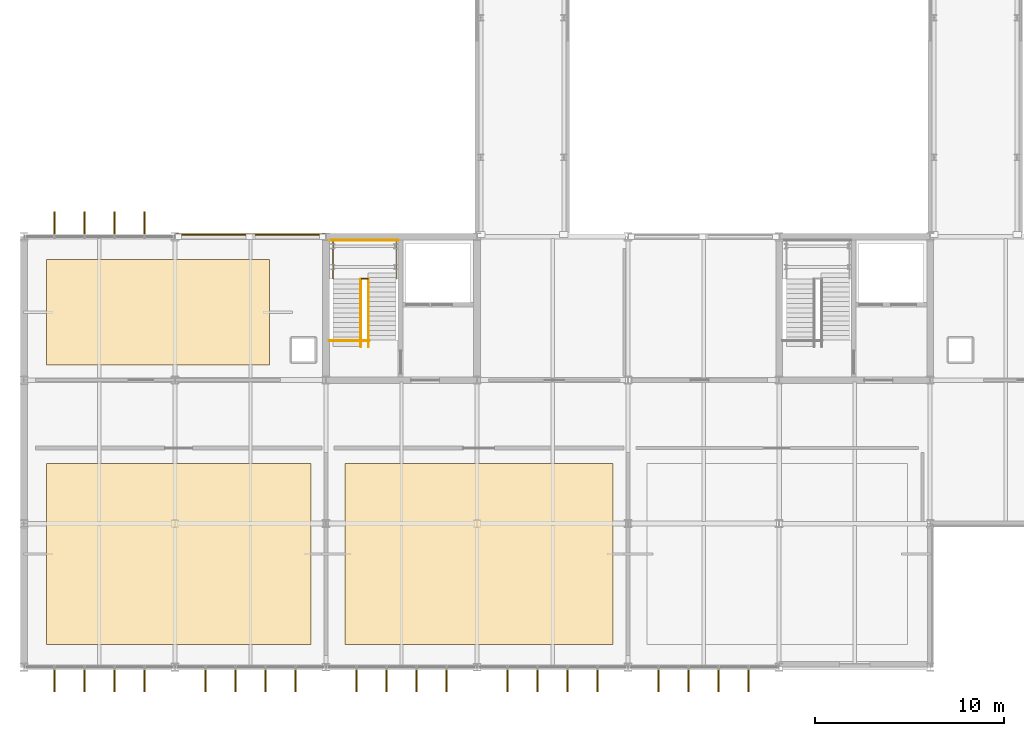
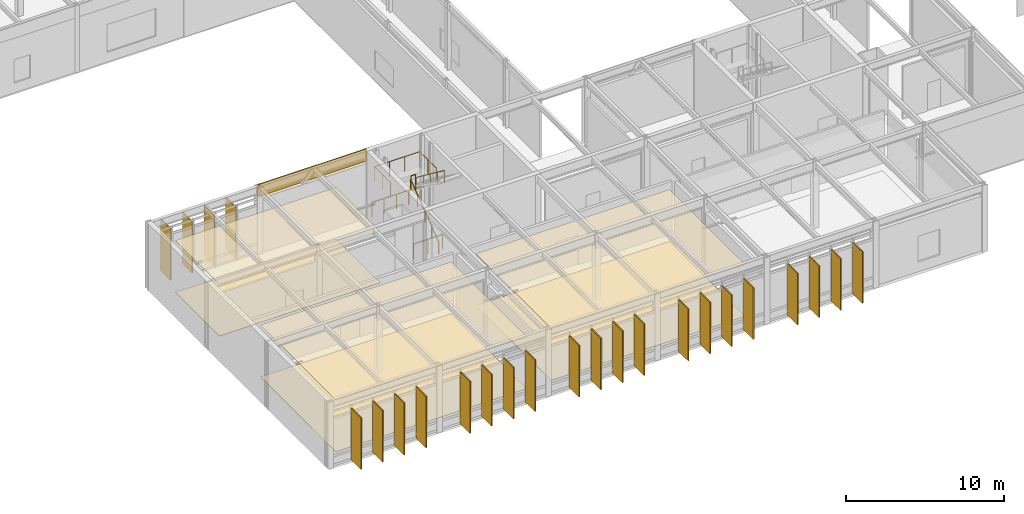
# One storey, part 85 of 94: 24 shading devices, 7 coverings, 6 railings.
"""IFC4 building model written with IfcOpenShell, lengths in metres."""

from ifc_helpers import new_model, si_unit, direction, frame, origin, origin_2d, place, context, subcontext, project, spatial, polyline, rectangle, circle, outline, extrude, material, layer, layer_set, type_object, element, save


model = new_model("IFC4")

# Units and contexts
model_context = context("Model", 3, precision=1e-05, world=origin(), true_north=direction((0.0, 1.0)))
body_context = subcontext(model_context, "Body", "Model", "MODEL_VIEW")
ifc_project = project(units=[si_unit("LENGTHUNIT", "METRE"), si_unit("AREAUNIT", "SQUARE_METRE"), si_unit("VOLUMEUNIT", "CUBIC_METRE"), si_unit("PLANEANGLEUNIT", "RADIAN"), si_unit("MASSUNIT", "GRAM", prefix="KILO")], contexts=[model_context])

# Site, building, storey
site_placement = place(None, origin())
site = spatial("IfcSite", under=ifc_project, at=site_placement, CompositionType="ELEMENT")
building_placement = place(site_placement, origin())
building = spatial("IfcBuilding", under=site, at=building_placement, Name="Zulena Civic Courthouse", CompositionType="ELEMENT")
storey_placement = place(building_placement, frame((0.0, 0.0, 5.39990234375)))
storey = spatial("IfcBuildingStorey", under=building, at=storey_placement, Name="L01", CompositionType="ELEMENT", Elevation=5.39990234375)

# Coverings
ifc_material_1 = material(Name="Perforated acoustic mineral-fibre ceiling tile", Category="concrete")
ifc_layer_1 = layer(ifc_material_1, 0.02490234375)
ifc_layer_set_1 = layer_set([ifc_layer_1], Name="Perforated acoustic mineral-fibre ceiling tile")
covering_type_1 = type_object("IfcCoveringType", Name="AcousticCeiling_25", PredefinedType="CEILING", material=ifc_layer_set_1)
covering_1_placement = place(storey_placement, frame((0.0, 0.0, 4.02001953125)))
element("IfcCovering", 1, at=covering_1_placement, inside=storey, type_object=covering_type_1, Name="ceil:L01:295", PredefinedType="CEILING", context=body_context, shape_type="SweptSolid", body=[
    extrude(outline(polyline([(5.199951171875, 1.199951171875), (19.199951171875, 1.199951171875), (19.199951171875, 10.800048828125), (5.199951171875, 10.800048828125), (5.199951171875, 1.199951171875)])), origin(), (0.0, 0.0, 1.0), 0.025146484375),
])
covering_2_placement = place(storey_placement, frame((0.0, 0.0, 4.02001953125)))
element("IfcCovering", 2, at=covering_2_placement, inside=storey, type_object=covering_type_1, Name="ceil:L01:296", PredefinedType="CEILING", context=body_context, shape_type="SweptSolid", body=[
    extrude(outline(polyline([(21.0, 1.199951171875), (35.199951171875, 1.199951171875), (35.199951171875, 10.800048828125), (21.0, 10.800048828125), (21.0, 1.199951171875)])), origin(), (0.0, 0.0, 1.0), 0.025146484375),
])
covering_3_placement = place(storey_placement, frame((0.0, 0.0, 4.02001953125)))
element("IfcCovering", 3, at=covering_3_placement, inside=storey, type_object=covering_type_1, Name="ceil:L01:298", PredefinedType="CEILING", context=body_context, shape_type="SweptSolid", body=[
    extrude(outline(polyline([(5.199951171875, 16.0), (17.0, 16.0), (17.0, 21.60009765625), (5.199951171875, 21.60009765625), (5.199951171875, 16.0)])), origin(), (0.0, 0.0, 1.0), 0.025146484375),
])

# Shading devices
ifc_material_2 = material(Name="Gold anodised architectural aluminium AA6063-T6", Category="aluminium")
shading_device_type = type_object("IfcShadingDeviceType", Name="GoldSolarFin_400", PredefinedType="USERDEFINED", material=ifc_material_2)
for number, where, z_axis, x_axis, name in (
    (4, (5.614501953125, 23.485107421875, 0.050048828125), (0.0, 0.0, 1.0), (0.0, 1.0, 0.0), "fin:V2:L01:1:0:1"),
    (5, (7.204833984375, 23.485107421875, 0.050048828125), (0.0, 0.0, 1.0), (0.0, 1.0, 0.0), "fin:V2:L01:1:0:2"),
    (6, (8.795166015625, 23.485107421875, 0.050048828125), (0.0, 0.0, 1.0), (0.0, 1.0, 0.0), "fin:V2:L01:1:0:3"),
    (7, (10.385498046875, 23.485107421875, 0.050048828125), (0.0, 0.0, 1.0), (0.0, 1.0, 0.0), "fin:V2:L01:1:0:4"),
    (8, (42.385498046875, -0.68505859375, 0.050048828125), (0.0, 0.0, 1.0), (0.0, -1.0, 0.0), "fin:V2:L01:5:1:1"),
    (9, (40.795166015625, -0.68505859375, 0.050048828125), (0.0, 0.0, 1.0), (0.0, -1.0, 0.0), "fin:V2:L01:5:1:2"),
    (10, (39.204833984375, -0.68505859375, 0.050048828125), (0.0, 0.0, 1.0), (0.0, -1.0, 0.0), "fin:V2:L01:5:1:3"),
    (11, (37.614501953125, -0.68505859375, 0.050048828125), (0.0, 0.0, 1.0), (0.0, -1.0, 0.0), "fin:V2:L01:5:1:4"),
    (12, (34.385498046875, -0.68505859375, 0.050048828125), (0.0, 0.0, 1.0), (0.0, -1.0, 0.0), "fin:V2:L01:5:2:1"),
    (13, (32.795166015625, -0.68505859375, 0.050048828125), (0.0, 0.0, 1.0), (0.0, -1.0, 0.0), "fin:V2:L01:5:2:2"),
    (14, (31.204833984375, -0.68505859375, 0.050048828125), (0.0, 0.0, 1.0), (0.0, -1.0, 0.0), "fin:V2:L01:5:2:3"),
    (15, (29.614501953125, -0.68505859375, 0.050048828125), (0.0, 0.0, 1.0), (0.0, -1.0, 0.0), "fin:V2:L01:5:2:4"),
    (16, (26.385498046875, -0.68505859375, 0.050048828125), (0.0, 0.0, 1.0), (0.0, -1.0, 0.0), "fin:V2:L01:5:3:1"),
    (17, (24.795166015625, -0.68505859375, 0.050048828125), (0.0, 0.0, 1.0), (0.0, -1.0, 0.0), "fin:V2:L01:5:3:2"),
    (18, (23.204833984375, -0.68505859375, 0.050048828125), (0.0, 0.0, 1.0), (0.0, -1.0, 0.0), "fin:V2:L01:5:3:3"),
    (19, (21.614501953125, -0.68505859375, 0.050048828125), (0.0, 0.0, 1.0), (0.0, -1.0, 0.0), "fin:V2:L01:5:3:4"),
    (20, (18.385498046875, -0.68505859375, 0.050048828125), (0.0, 0.0, 1.0), (0.0, -1.0, 0.0), "fin:V2:L01:5:4:1"),
    (21, (16.795166015625, -0.68505859375, 0.050048828125), (0.0, 0.0, 1.0), (0.0, -1.0, 0.0), "fin:V2:L01:5:4:2"),
    (22, (15.204833984375, -0.68505859375, 0.050048828125), (0.0, 0.0, 1.0), (0.0, -1.0, 0.0), "fin:V2:L01:5:4:3"),
    (23, (13.614501953125, -0.68505859375, 0.050048828125), (0.0, 0.0, 1.0), (0.0, -1.0, 0.0), "fin:V2:L01:5:4:4"),
    (24, (10.385498046875, -0.68505859375, 0.050048828125), (0.0, 0.0, 1.0), (0.0, -1.0, 0.0), "fin:V2:L01:5:5:1"),
    (25, (8.795166015625, -0.68505859375, 0.050048828125), (0.0, 0.0, 1.0), (0.0, -1.0, 0.0), "fin:V2:L01:5:5:2"),
    (26, (7.204833984375, -0.68505859375, 0.050048828125), (0.0, 0.0, 1.0), (0.0, -1.0, 0.0), "fin:V2:L01:5:5:3"),
    (27, (5.614501953125, -0.68505859375, 0.050048828125), (0.0, 0.0, 1.0), (0.0, -1.0, 0.0), "fin:V2:L01:5:5:4"),
):
    element("IfcShadingDevice", number, at=place(storey_placement, frame(where, z_axis=z_axis, x_axis=x_axis)), inside=storey, type_object=shading_device_type, Name=name, ObjectType="FIN", PredefinedType="USERDEFINED", context=body_context, shape_type="SweptSolid", body=[
        extrude(rectangle(XDim=1.25, YDim=0.080078125, at=origin_2d()), origin(), (0.0, 0.0, 1.0), 4.0),
    ])

# Railings
ifc_material_3 = material(Name="Brushed architectural steel ASTM A36", Category="steel")
railing_type_1 = type_object("IfcRailingType", Name="InteriorGuardrail_1150", PredefinedType="GUARDRAIL", material=ifc_material_3)
railing_1_placement = place(storey_placement, frame((20.199951171875, 22.610107421875, 0.0)))
element("IfcRailing", 28, at=railing_1_placement, inside=storey, type_object=railing_type_1, Name="gr:wellN:K2A:L00", PredefinedType="GUARDRAIL", context=body_context, shape_type="SweptSolid", body=[
    extrude(circle(Radius=0.02392578125, at=origin_2d()), frame((0.00390625, 0.0, 1.1259765625), z_axis=(1.0, 0.0, 0.0), x_axis=(0.0, 1.0, 0.0)), (0.0, 0.0, 1.0), 3.592041015625),
    extrude(circle(Radius=0.02099609375, at=origin_2d()), origin(), (0.0, 0.0, 1.0), 1.097900390625),
    extrude(circle(Radius=0.02099609375, at=origin_2d()), frame((0.89990234375, 0.0, 0.0)), (0.0, 0.0, 1.0), 1.097900390625),
    extrude(circle(Radius=0.02099609375, at=origin_2d()), frame((1.800048828125, 0.0, 0.0)), (0.0, 0.0, 1.0), 1.097900390625),
    extrude(circle(Radius=0.02099609375, at=origin_2d()), frame((2.7001953125, 0.0, 0.0)), (0.0, 0.0, 1.0), 1.097900390625),
    extrude(circle(Radius=0.02099609375, at=origin_2d()), frame((3.60009765625, 0.0, 0.0)), (0.0, 0.0, 1.0), 1.097900390625),
])
railing_2_placement = place(storey_placement, frame((20.179931640625, 17.300048828125, 0.0)))
element("IfcRailing", 29, at=railing_2_placement, inside=storey, type_object=railing_type_1, Name="gr:wells:K2A:L01", PredefinedType="GUARDRAIL", context=body_context, shape_type="SweptSolid", body=[
    extrude(circle(Radius=0.02392578125, at=origin_2d()), frame((0.00390625, 0.0, 1.1259765625), z_axis=(1.0, 0.0, 0.0), x_axis=(0.0, 1.0, 0.0)), (0.0, 0.0, 1.0), 2.112060546875),
    extrude(circle(Radius=0.02099609375, at=origin_2d()), origin(), (0.0, 0.0, 1.0), 1.097900390625),
    extrude(circle(Radius=0.02099609375, at=origin_2d()), frame((1.06005859375, 0.0, 0.0)), (0.0, 0.0, 1.0), 1.097900390625),
    extrude(circle(Radius=0.02099609375, at=origin_2d()), frame((2.1201171875, 0.0, 0.0)), (0.0, 0.0, 1.0), 1.097900390625),
])
railing_3_placement = place(storey_placement, frame((20.3798828125, 20.549560546875, 2.7001953125)))
element("IfcRailing", 30, at=railing_3_placement, inside=storey, type_object=railing_type_1, Name="gr:lnd:K2A:L01", PredefinedType="GUARDRAIL", context=body_context, shape_type="SweptSolid", body=[
    extrude(circle(Radius=0.02392578125, at=origin_2d()), frame((0.0, 0.00390625, 1.1259765625), z_axis=(0.0, 1.0, 0.0), x_axis=(-1.0, 0.0, 0.0)), (0.0, 0.0, 1.0), 2.0625),
    extrude(circle(Radius=0.02392578125, at=origin_2d()), frame((0.00390625, 2.070556640625, 1.1259765625), z_axis=(1.0, 0.0, 0.0), x_axis=(0.0, 1.0, 0.0)), (0.0, 0.0, 1.0), 3.33203125),
    extrude(circle(Radius=0.02392578125, at=origin_2d()), frame((3.340087890625, 2.066650390625, 1.1259765625), z_axis=(0.0, -1.0, 0.0), x_axis=(1.0, 0.0, 0.0)), (0.0, 0.0, 1.0), 2.0625),
    extrude(circle(Radius=0.02099609375, at=origin_2d()), origin(), (0.0, 0.0, 1.0), 1.097900390625),
    extrude(circle(Radius=0.02099609375, at=origin_2d()), frame((0.0, 1.03515625, 0.0)), (0.0, 0.0, 1.0), 1.097900390625),
    extrude(circle(Radius=0.02099609375, at=origin_2d()), frame((0.0, 2.070556640625, 0.0)), (0.0, 0.0, 1.0), 1.097900390625),
    extrude(circle(Radius=0.02099609375, at=origin_2d()), frame((1.11328125, 2.070556640625, 0.0)), (0.0, 0.0, 1.0), 1.097900390625),
    extrude(circle(Radius=0.02099609375, at=origin_2d()), frame((2.226806640625, 2.070556640625, 0.0)), (0.0, 0.0, 1.0), 1.097900390625),
    extrude(circle(Radius=0.02099609375, at=origin_2d()), frame((3.340087890625, 2.070556640625, 0.0)), (0.0, 0.0, 1.0), 1.097900390625),
    extrude(circle(Radius=0.02099609375, at=origin_2d()), frame((3.340087890625, 1.03515625, 0.0)), (0.0, 0.0, 1.0), 1.097900390625),
    extrude(circle(Radius=0.02099609375, at=origin_2d()), frame((3.340087890625, 0.0, 0.0)), (0.0, 0.0, 1.0), 1.097900390625),
])
railing_4_placement = place(storey_placement, frame((21.8798828125, 20.570068359375, 2.7001953125)))
element("IfcRailing", 31, at=railing_4_placement, inside=storey, type_object=railing_type_1, Name="gr:lndslot:K2A:L01", PredefinedType="GUARDRAIL", context=body_context, shape_type="SweptSolid", body=[
    extrude(circle(Radius=0.02392578125, at=origin_2d()), frame((0.00390625, 0.0, 1.1259765625), z_axis=(1.0, 0.0, 0.0), x_axis=(0.0, 1.0, 0.0)), (0.0, 0.0, 1.0), 0.33203125),
    extrude(circle(Radius=0.02099609375, at=origin_2d()), origin(), (0.0, 0.0, 1.0), 1.097900390625),
    extrude(circle(Radius=0.02099609375, at=origin_2d()), frame((0.340087890625, 0.0, 0.0)), (0.0, 0.0, 1.0), 1.097900390625),
])

# Covering
ifc_material_4 = material(Name="White architectural precast concrete C40/50", Category="concrete")
ifc_layer_2 = layer(ifc_material_4, 0.0849609375)
ifc_layer_set_2 = layer_set([ifc_layer_2], Name="White architectural precast concrete C40/50")
covering_type_2 = type_object("IfcCoveringType", Name="PrecastSpandrelCladding_85", PredefinedType="CLADDING", material=ifc_layer_set_2)
covering_4_placement = place(storey_placement, frame((16.0, 22.919921875, 4.250244140625), z_axis=(0.0, 0.0, 1.0), x_axis=(1.0, 0.0, 0.0)))
element("IfcCovering", 32, at=covering_4_placement, inside=storey, type_object=covering_type_2, Name="clad:sp:V2:L01:1:1", PredefinedType="CLADDING", context=body_context, shape_type="SweptSolid", body=[
    extrude(rectangle(XDim=7.9599609375, YDim=0.0849609375, at=origin_2d()), origin(), (0.0, 0.0, 1.0), 0.93994140625),
])

# Railings
railing_type_2 = type_object("IfcRailingType", Name="StairHandrail_920", PredefinedType="HANDRAIL", material=ifc_material_3)
railing_5_placement = place(storey_placement, frame((21.85009765625, 16.97998046875, 0.0)))
element("IfcRailing", 33, at=railing_5_placement, inside=storey, type_object=railing_type_2, Name="hr:K2A:L01:1", PredefinedType="HANDRAIL", context=body_context, shape_type="SweptSolid", body=[
    extrude(circle(Radius=0.02392578125, at=origin_2d()), frame((0.0, 0.003173828125, 0.898193359375), z_axis=(0.0, 0.797525546601, 0.603285175119), x_axis=(-1.0, 0.0, 0.0)), (0.0, 0.0, 1.0), 4.4677734375),
    extrude(circle(Radius=0.02099609375, at=origin_2d()), origin(), (0.0, 0.0, 1.0), 0.867919921875),
    extrude(circle(Radius=0.02099609375, at=origin_2d()), frame((0.0, 0.892333984375, 0.675048828125)), (0.0, 0.0, 1.0), 0.867919921875),
    extrude(circle(Radius=0.02099609375, at=origin_2d()), frame((0.0, 1.78466796875, 1.35009765625)), (0.0, 0.0, 1.0), 0.867919921875),
    extrude(circle(Radius=0.02099609375, at=origin_2d()), frame((0.0, 2.67724609375, 2.025146484375)), (0.0, 0.0, 1.0), 0.867919921875),
    extrude(circle(Radius=0.02099609375, at=origin_2d()), frame((0.0, 3.569580078125, 2.7001953125)), (0.0, 0.0, 1.0), 0.867919921875),
])
railing_6_placement = place(storey_placement, frame((22.25, 20.549560546875, 2.7001953125)))
element("IfcRailing", 34, at=railing_6_placement, inside=storey, type_object=railing_type_2, Name="hr:K2A:L01:2", PredefinedType="HANDRAIL", context=body_context, shape_type="SweptSolid", body=[
    extrude(circle(Radius=0.02392578125, at=origin_2d()), frame((0.0, -0.003173828125, 0.898193359375), z_axis=(0.0, -0.797551790998, 0.603250479218), x_axis=(1.0, 0.0, 0.0)), (0.0, 0.0, 1.0), 4.4677734375),
    extrude(circle(Radius=0.02099609375, at=origin_2d()), origin(), (0.0, 0.0, 1.0), 0.867919921875),
    extrude(circle(Radius=0.02099609375, at=origin_2d()), frame((0.0, -0.892333984375, 0.675048828125)), (0.0, 0.0, 1.0), 0.867919921875),
    extrude(circle(Radius=0.02099609375, at=origin_2d()), frame((0.0, -1.78466796875, 1.35009765625)), (0.0, 0.0, 1.0), 0.867919921875),
    extrude(circle(Radius=0.02099609375, at=origin_2d()), frame((0.0, -2.67724609375, 2.02490234375)), (0.0, 0.0, 1.0), 0.867919921875),
    extrude(circle(Radius=0.02099609375, at=origin_2d()), frame((0.0, -3.569580078125, 2.699951171875)), (0.0, 0.0, 1.0), 0.867919921875),
])

# Coverings
ifc_material_5 = material(Name="Honed travertine stone flooring", Category="masonry")
ifc_layer_3 = layer(ifc_material_5, 0.030029296875)
ifc_layer_set_3 = layer_set([ifc_layer_3], Name="Honed travertine stone flooring")
covering_type_3 = type_object("IfcCoveringType", Name="TravertineFlooring_30", PredefinedType="FLOORING", material=ifc_layer_set_3)
covering_5_placement = place(storey_placement, origin())
element("IfcCovering", 35, at=covering_5_placement, inside=storey, type_object=covering_type_3, Name="floor:L01:295", PredefinedType="FLOORING", context=body_context, shape_type="SweptSolid", body=[
    extrude(outline(polyline([(5.199951171875, 1.199951171875), (19.199951171875, 1.199951171875), (19.199951171875, 10.800048828125), (5.199951171875, 10.800048828125), (5.199951171875, 1.199951171875)])), origin(), (0.0, 0.0, 1.0), 0.030029296875),
])
covering_6_placement = place(storey_placement, origin())
element("IfcCovering", 36, at=covering_6_placement, inside=storey, type_object=covering_type_3, Name="floor:L01:296", PredefinedType="FLOORING", context=body_context, shape_type="SweptSolid", body=[
    extrude(outline(polyline([(21.0, 1.199951171875), (35.199951171875, 1.199951171875), (35.199951171875, 10.800048828125), (21.0, 10.800048828125), (21.0, 1.199951171875)])), origin(), (0.0, 0.0, 1.0), 0.030029296875),
])
covering_7_placement = place(storey_placement, origin())
element("IfcCovering", 37, at=covering_7_placement, inside=storey, type_object=covering_type_3, Name="floor:L01:298", PredefinedType="FLOORING", context=body_context, shape_type="SweptSolid", body=[
    extrude(outline(polyline([(5.199951171875, 16.0), (17.0, 16.0), (17.0, 21.60009765625), (5.199951171875, 21.60009765625), (5.199951171875, 16.0)])), origin(), (0.0, 0.0, 1.0), 0.030029296875),
])

save(model, "model.ifc")
